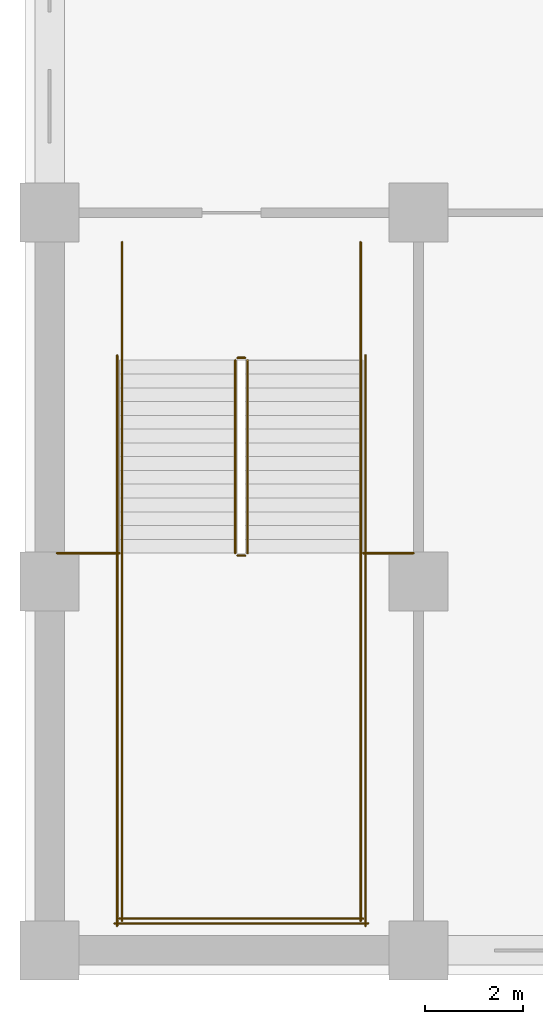
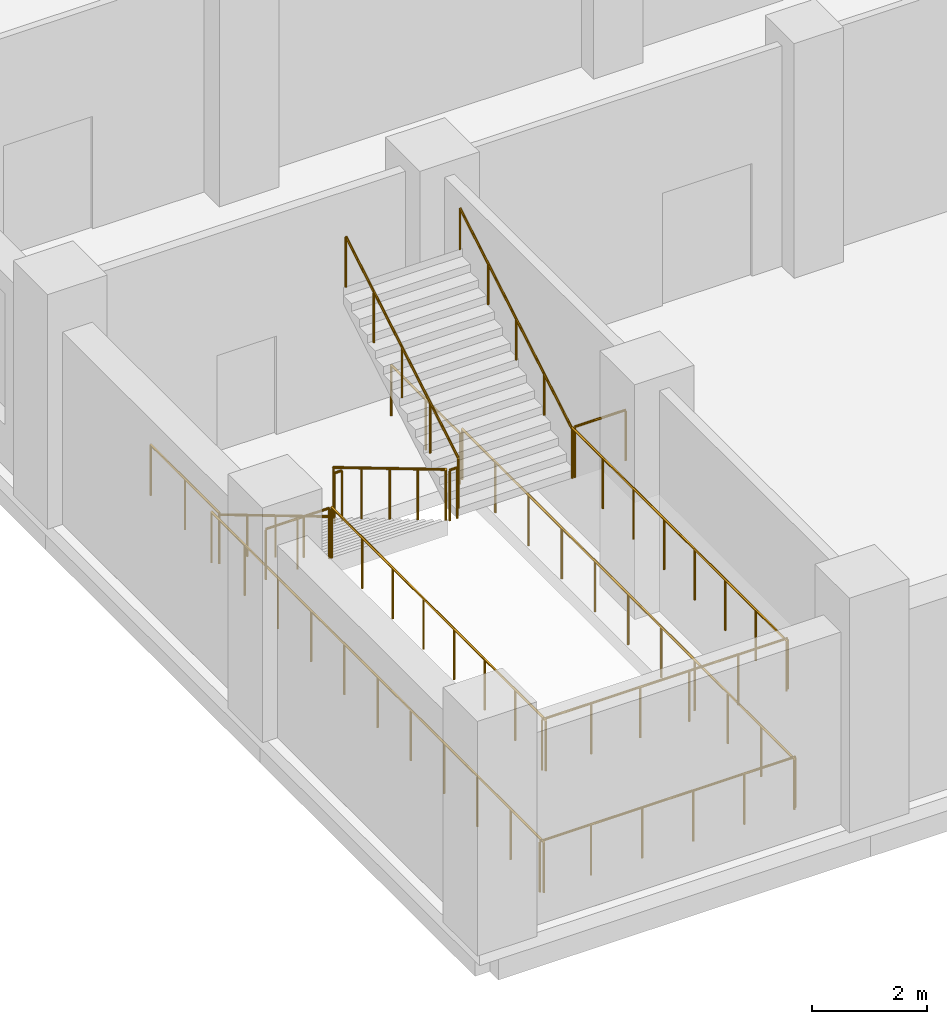
# One storey, part 21 of 32: 16 railings.
"""IFC4 building model written with IfcOpenShell, lengths in metres."""

from ifc_helpers import new_model, si_unit, direction, frame, origin, origin_2d, place, context, subcontext, project, spatial, circle, extrude, material, type_object, element, save


model = new_model("IFC4")

# Units and contexts
model_context = context("Model", 3, precision=1e-05, world=origin(), true_north=direction((0.0, 1.0)))
body_context = subcontext(model_context, "Body", "Model", "MODEL_VIEW")
ifc_project = project(units=[si_unit("LENGTHUNIT", "METRE"), si_unit("AREAUNIT", "SQUARE_METRE"), si_unit("VOLUMEUNIT", "CUBIC_METRE"), si_unit("PLANEANGLEUNIT", "RADIAN"), si_unit("MASSUNIT", "GRAM", prefix="KILO")], contexts=[model_context])

# Site, building, storey
site_placement = place(None, origin())
site = spatial("IfcSite", under=ifc_project, at=site_placement, CompositionType="ELEMENT")
building_placement = place(site_placement, origin())
building = spatial("IfcBuilding", under=site, at=building_placement, Name="Tamorin Gate", CompositionType="ELEMENT")
storey_placement = place(building_placement, frame((0.0, 0.0, 13.5)))
storey = spatial("IfcBuildingStorey", under=building, at=storey_placement, Name="L02", CompositionType="ELEMENT", Elevation=13.5)

# Railings
ifc_material = material(Name="Steel", Category="steel")
railing_type_1 = type_object("IfcRailingType", Name="Podium guard 1100", PredefinedType="GUARDRAIL", material=ifc_material)
railing_1_placement = place(storey_placement, frame((19.27490234375, 42.5, 0.166748046875)))
element("IfcRailing", 1, at=railing_1_placement, inside=storey, type_object=railing_type_1, Name="L02 PS1 stair guard 1", PredefinedType="GUARDRAIL", context=body_context, shape_type="SweptSolid", body=[
    extrude(circle(Radius=0.02392578125, at=origin_2d()), frame((0.0, 0.0, 1.076171875), z_axis=(0.0, -0.859296244711, 0.511478214419), x_axis=(1.0, 0.0, 0.0)), (0.0, 0.0, 1.0), 4.561767578125),
    extrude(circle(Radius=0.02099609375, at=origin_2d()), origin(), (0.0, 0.0, 1.0), 1.052001953125),
    extrude(circle(Radius=0.02099609375, at=origin_2d()), frame((0.0, -0.97998046875, 0.583251953125)), (0.0, 0.0, 1.0), 1.052001953125),
    extrude(circle(Radius=0.02099609375, at=origin_2d()), frame((0.0, -1.9599609375, 1.16650390625)), (0.0, 0.0, 1.0), 1.052001953125),
    extrude(circle(Radius=0.02099609375, at=origin_2d()), frame((0.0, -2.93994140625, 1.75)), (0.0, 0.0, 1.0), 1.052001953125),
    extrude(circle(Radius=0.02099609375, at=origin_2d()), frame((0.0, -3.919921875, 2.333251953125)), (0.0, 0.0, 1.0), 1.052001953125),
])
railing_2_placement = place(storey_placement, frame((19.324951171875, 38.530029296875, 2.5)))
element("IfcRailing", 2, at=railing_2_placement, inside=storey, type_object=railing_type_1, Name="L02 PS1 stair guard 2", PredefinedType="GUARDRAIL", context=body_context, shape_type="SweptSolid", body=[
    extrude(circle(Radius=0.02392578125, at=origin_2d()), frame((0.0, 0.0, 1.076171875), z_axis=(1.0, 0.0, 0.0), x_axis=(0.0, 1.0, 0.0)), (0.0, 0.0, 1.0), 0.150146484375),
    extrude(circle(Radius=0.02099609375, at=origin_2d()), origin(), (0.0, 0.0, 1.0), 1.052001953125),
    extrude(circle(Radius=0.02099609375, at=origin_2d()), frame((0.150146484375, 0.0, 0.0)), (0.0, 0.0, 1.0), 1.052001953125),
])
for number, where, name in (
    (3, (16.97509765625, 38.580078125, 2.5), "L02 PS1 stair guard 3"),
    (4, (21.824951171875, 38.580078125, 2.5), "L02 PS1 stair guard 4"),
):
    element("IfcRailing", number, at=place(storey_placement, frame(where)), inside=storey, type_object=railing_type_1, Name=name, PredefinedType="GUARDRAIL", context=body_context, shape_type="SweptSolid", body=[
        extrude(circle(Radius=0.02392578125, at=origin_2d()), frame((0.0, 0.0, 1.076171875), z_axis=(0.0, -1.0, 0.0), x_axis=(1.0, 0.0, 0.0)), (0.0, 0.0, 1.0), 7.47998046875),
        extrude(circle(Radius=0.02099609375, at=origin_2d()), origin(), (0.0, 0.0, 1.0), 1.052001953125),
        extrude(circle(Radius=0.02099609375, at=origin_2d()), frame((0.0, -1.068603515625, 0.0)), (0.0, 0.0, 1.0), 1.052001953125),
        extrude(circle(Radius=0.02099609375, at=origin_2d()), frame((0.0, -2.13720703125, 0.0)), (0.0, 0.0, 1.0), 1.052001953125),
        extrude(circle(Radius=0.02099609375, at=origin_2d()), frame((0.0, -3.205810546875, 0.0)), (0.0, 0.0, 1.0), 1.052001953125),
        extrude(circle(Radius=0.02099609375, at=origin_2d()), frame((0.0, -4.274169921875, 0.0)), (0.0, 0.0, 1.0), 1.052001953125),
        extrude(circle(Radius=0.02099609375, at=origin_2d()), frame((0.0, -5.3427734375, 0.0)), (0.0, 0.0, 1.0), 1.052001953125),
        extrude(circle(Radius=0.02099609375, at=origin_2d()), frame((0.0, -6.411376953125, 0.0)), (0.0, 0.0, 1.0), 1.052001953125),
        extrude(circle(Radius=0.02099609375, at=origin_2d()), frame((0.0, -7.47998046875, 0.0)), (0.0, 0.0, 1.0), 1.052001953125),
    ])
railing_3_placement = place(storey_placement, frame((16.925048828125, 31.14990234375, 2.5)))
element("IfcRailing", 5, at=railing_3_placement, inside=storey, type_object=railing_type_1, Name="L02 PS1 stair guard 5", PredefinedType="GUARDRAIL", context=body_context, shape_type="SweptSolid", body=[
    extrude(circle(Radius=0.02392578125, at=origin_2d()), frame((0.0, 0.0, 1.076171875), z_axis=(1.0, 0.0, 0.0), x_axis=(0.0, 1.0, 0.0)), (0.0, 0.0, 1.0), 4.949951171875),
    extrude(circle(Radius=0.02099609375, at=origin_2d()), origin(), (0.0, 0.0, 1.0), 1.052001953125),
    extrude(circle(Radius=0.02099609375, at=origin_2d()), frame((0.989990234375, 0.0, 0.0)), (0.0, 0.0, 1.0), 1.052001953125),
    extrude(circle(Radius=0.02099609375, at=origin_2d()), frame((1.97998046875, 0.0, 0.0)), (0.0, 0.0, 1.0), 1.052001953125),
    extrude(circle(Radius=0.02099609375, at=origin_2d()), frame((2.969970703125, 0.0, 0.0)), (0.0, 0.0, 1.0), 1.052001953125),
    extrude(circle(Radius=0.02099609375, at=origin_2d()), frame((3.9599609375, 0.0, 0.0)), (0.0, 0.0, 1.0), 1.052001953125),
    extrude(circle(Radius=0.02099609375, at=origin_2d()), frame((4.949951171875, 0.0, 0.0)), (0.0, 0.0, 1.0), 1.052001953125),
])
railing_4_placement = place(storey_placement, frame((19.52490234375, 38.580078125, 2.666748046875)))
element("IfcRailing", 6, at=railing_4_placement, inside=storey, type_object=railing_type_1, Name="L02 PS1 stair guard 6", PredefinedType="GUARDRAIL", context=body_context, shape_type="SweptSolid", body=[
    extrude(circle(Radius=0.02392578125, at=origin_2d()), frame((0.0, 0.0, 1.076171875), z_axis=(0.0, 0.859296244711, 0.511478214419), x_axis=(-1.0, 0.0, 0.0)), (0.0, 0.0, 1.0), 4.561767578125),
    extrude(circle(Radius=0.02099609375, at=origin_2d()), origin(), (0.0, 0.0, 1.0), 1.052001953125),
    extrude(circle(Radius=0.02099609375, at=origin_2d()), frame((0.0, 0.97998046875, 0.583251953125)), (0.0, 0.0, 1.0), 1.052001953125),
    extrude(circle(Radius=0.02099609375, at=origin_2d()), frame((0.0, 1.9599609375, 1.16650390625)), (0.0, 0.0, 1.0), 1.052001953125),
    extrude(circle(Radius=0.02099609375, at=origin_2d()), frame((0.0, 2.93994140625, 1.75)), (0.0, 0.0, 1.0), 1.052001953125),
    extrude(circle(Radius=0.02099609375, at=origin_2d()), frame((0.0, 3.919921875, 2.333251953125)), (0.0, 0.0, 1.0), 1.052001953125),
])
railing_5_placement = place(storey_placement, frame((19.324951171875, 42.550048828125, 0.0)))
element("IfcRailing", 7, at=railing_5_placement, inside=storey, type_object=railing_type_1, Name="L02 PS1 stair guard 7", PredefinedType="GUARDRAIL", context=body_context, shape_type="SweptSolid", body=[
    extrude(circle(Radius=0.02392578125, at=origin_2d()), frame((0.0, 0.0, 1.076171875), z_axis=(1.0, 0.0, 0.0), x_axis=(0.0, 1.0, 0.0)), (0.0, 0.0, 1.0), 0.150146484375),
    extrude(circle(Radius=0.02099609375, at=origin_2d()), origin(), (0.0, 0.0, 1.0), 1.052001953125),
    extrude(circle(Radius=0.02099609375, at=origin_2d()), frame((0.150146484375, 0.0, 0.0)), (0.0, 0.0, 1.0), 1.052001953125),
])
for number, where, name in (
    (8, (16.97509765625, 44.89990234375, 0.0), "L02 PS1 stair guard 8"),
    (9, (21.824951171875, 44.89990234375, 0.0), "L02 PS1 stair guard 9"),
):
    element("IfcRailing", number, at=place(storey_placement, frame(where)), inside=storey, type_object=railing_type_1, Name=name, PredefinedType="GUARDRAIL", context=body_context, shape_type="SweptSolid", body=[
        extrude(circle(Radius=0.02392578125, at=origin_2d()), frame((0.0, 0.0, 1.076171875), z_axis=(0.0, -1.0, 0.0), x_axis=(1.0, 0.0, 0.0)), (0.0, 0.0, 1.0), 2.39990234375),
        extrude(circle(Radius=0.02099609375, at=origin_2d()), origin(), (0.0, 0.0, 1.0), 1.052001953125),
        extrude(circle(Radius=0.02099609375, at=origin_2d()), frame((0.0, -1.199951171875, 0.0)), (0.0, 0.0, 1.0), 1.052001953125),
        extrude(circle(Radius=0.02099609375, at=origin_2d()), frame((0.0, -2.39990234375, 0.0)), (0.0, 0.0, 1.0), 1.052001953125),
    ])
for number, where, name in (
    (10, (16.875, 42.60009765625, 0.0), "L02 PS1 stair guard 10"),
    (11, (21.925048828125, 42.60009765625, 0.0), "L02 PS1 stair guard 11"),
):
    element("IfcRailing", number, at=place(storey_placement, frame(where)), inside=storey, type_object=railing_type_1, Name=name, PredefinedType="GUARDRAIL", context=body_context, shape_type="SweptSolid", body=[
        extrude(circle(Radius=0.02392578125, at=origin_2d()), frame((0.0, 0.0, 1.076171875), z_axis=(0.0, -1.0, 0.0), x_axis=(1.0, 0.0, 0.0)), (0.0, 0.0, 1.0), 11.60009765625),
        extrude(circle(Radius=0.02099609375, at=origin_2d()), origin(), (0.0, 0.0, 1.0), 1.052001953125),
        extrude(circle(Radius=0.02099609375, at=origin_2d()), frame((0.0, -1.159912109375, 0.0)), (0.0, 0.0, 1.0), 1.052001953125),
        extrude(circle(Radius=0.02099609375, at=origin_2d()), frame((0.0, -2.320068359375, 0.0)), (0.0, 0.0, 1.0), 1.052001953125),
        extrude(circle(Radius=0.02099609375, at=origin_2d()), frame((0.0, -3.47998046875, 0.0)), (0.0, 0.0, 1.0), 1.052001953125),
        extrude(circle(Radius=0.02099609375, at=origin_2d()), frame((0.0, -4.64013671875, 0.0)), (0.0, 0.0, 1.0), 1.052001953125),
        extrude(circle(Radius=0.02099609375, at=origin_2d()), frame((0.0, -5.800048828125, 0.0)), (0.0, 0.0, 1.0), 1.052001953125),
        extrude(circle(Radius=0.02099609375, at=origin_2d()), frame((0.0, -6.9599609375, 0.0)), (0.0, 0.0, 1.0), 1.052001953125),
        extrude(circle(Radius=0.02099609375, at=origin_2d()), frame((0.0, -8.1201171875, 0.0)), (0.0, 0.0, 1.0), 1.052001953125),
        extrude(circle(Radius=0.02099609375, at=origin_2d()), frame((0.0, -9.280029296875, 0.0)), (0.0, 0.0, 1.0), 1.052001953125),
        extrude(circle(Radius=0.02099609375, at=origin_2d()), frame((0.0, -10.440185546875, 0.0)), (0.0, 0.0, 1.0), 1.052001953125),
        extrude(circle(Radius=0.02099609375, at=origin_2d()), frame((0.0, -11.60009765625, 0.0)), (0.0, 0.0, 1.0), 1.052001953125),
    ])
railing_6_placement = place(storey_placement, frame((16.824951171875, 31.050048828125, 0.0)))
element("IfcRailing", 12, at=railing_6_placement, inside=storey, type_object=railing_type_1, Name="L02 PS1 stair guard 12", PredefinedType="GUARDRAIL", context=body_context, shape_type="SweptSolid", body=[
    extrude(circle(Radius=0.02392578125, at=origin_2d()), frame((0.0, 0.0, 1.076171875), z_axis=(1.0, 0.0, 0.0), x_axis=(0.0, 1.0, 0.0)), (0.0, 0.0, 1.0), 5.150146484375),
    extrude(circle(Radius=0.02099609375, at=origin_2d()), origin(), (0.0, 0.0, 1.0), 1.052001953125),
    extrude(circle(Radius=0.02099609375, at=origin_2d()), frame((1.030029296875, 0.0, 0.0)), (0.0, 0.0, 1.0), 1.052001953125),
    extrude(circle(Radius=0.02099609375, at=origin_2d()), frame((2.06005859375, 0.0, 0.0)), (0.0, 0.0, 1.0), 1.052001953125),
    extrude(circle(Radius=0.02099609375, at=origin_2d()), frame((3.090087890625, 0.0, 0.0)), (0.0, 0.0, 1.0), 1.052001953125),
    extrude(circle(Radius=0.02099609375, at=origin_2d()), frame((4.1201171875, 0.0, 0.0)), (0.0, 0.0, 1.0), 1.052001953125),
    extrude(circle(Radius=0.02099609375, at=origin_2d()), frame((5.150146484375, 0.0, 0.0)), (0.0, 0.0, 1.0), 1.052001953125),
])
railing_7_placement = place(storey_placement, frame((15.64990234375, 38.580078125, 2.5)))
element("IfcRailing", 13, at=railing_7_placement, inside=storey, type_object=railing_type_1, Name="Landing edge guard", PredefinedType="GUARDRAIL", context=body_context, shape_type="SweptSolid", body=[
    extrude(circle(Radius=0.02392578125, at=origin_2d()), frame((0.0, 0.0, 1.076171875), z_axis=(1.0, 0.0, 0.0), x_axis=(0.0, 1.0, 0.0)), (0.0, 0.0, 1.0), 1.275146484375),
    extrude(circle(Radius=0.02099609375, at=origin_2d()), origin(), (0.0, 0.0, 1.0), 1.052001953125),
    extrude(circle(Radius=0.02099609375, at=origin_2d()), frame((0.6376953125, 0.0, 0.0)), (0.0, 0.0, 1.0), 1.052001953125),
    extrude(circle(Radius=0.02099609375, at=origin_2d()), frame((1.275146484375, 0.0, 0.0)), (0.0, 0.0, 1.0), 1.052001953125),
])
railing_8_placement = place(storey_placement, frame((21.875, 38.580078125, 2.5)))
element("IfcRailing", 14, at=railing_8_placement, inside=storey, type_object=railing_type_1, Name="Landing edge guard", PredefinedType="GUARDRAIL", context=body_context, shape_type="SweptSolid", body=[
    extrude(circle(Radius=0.02392578125, at=origin_2d()), frame((0.0, 0.0, 1.076171875), z_axis=(1.0, 0.0, 0.0), x_axis=(0.0, 1.0, 0.0)), (0.0, 0.0, 1.0), 1.02490234375),
    extrude(circle(Radius=0.02099609375, at=origin_2d()), origin(), (0.0, 0.0, 1.0), 1.052001953125),
    extrude(circle(Radius=0.02099609375, at=origin_2d()), frame((1.02490234375, 0.0, 0.0)), (0.0, 0.0, 1.0), 1.052001953125),
])
railing_type_2 = type_object("IfcRailingType", Name="Podium stair handrail 900", PredefinedType="HANDRAIL", material=ifc_material)
railing_9_placement = place(storey_placement, frame((16.97509765625, 42.5, 0.166748046875)))
element("IfcRailing", 15, at=railing_9_placement, inside=storey, type_object=railing_type_2, Name="L02 PS1 stair handrail 1", PredefinedType="HANDRAIL", context=body_context, shape_type="SweptSolid", body=[
    extrude(circle(Radius=0.02392578125, at=origin_2d()), frame((0.0, 0.0, 0.8759765625), z_axis=(0.0, -0.859296244711, 0.511478214419), x_axis=(1.0, 0.0, 0.0)), (0.0, 0.0, 1.0), 4.561767578125),
    extrude(circle(Radius=0.02099609375, at=origin_2d()), origin(), (0.0, 0.0, 1.0), 0.851806640625),
    extrude(circle(Radius=0.02099609375, at=origin_2d()), frame((0.0, -0.97998046875, 0.583251953125)), (0.0, 0.0, 1.0), 0.851806640625),
    extrude(circle(Radius=0.02099609375, at=origin_2d()), frame((0.0, -1.9599609375, 1.16650390625)), (0.0, 0.0, 1.0), 0.851806640625),
    extrude(circle(Radius=0.02099609375, at=origin_2d()), frame((0.0, -2.93994140625, 1.75)), (0.0, 0.0, 1.0), 0.851806640625),
    extrude(circle(Radius=0.02099609375, at=origin_2d()), frame((0.0, -3.919921875, 2.333251953125)), (0.0, 0.0, 1.0), 0.851806640625),
])
railing_10_placement = place(storey_placement, frame((21.824951171875, 38.580078125, 2.666748046875)))
element("IfcRailing", 16, at=railing_10_placement, inside=storey, type_object=railing_type_2, Name="L02 PS1 stair handrail 2", PredefinedType="HANDRAIL", context=body_context, shape_type="SweptSolid", body=[
    extrude(circle(Radius=0.02392578125, at=origin_2d()), frame((0.0, 0.0, 0.8759765625), z_axis=(0.0, 0.859296244711, 0.511478214419), x_axis=(-1.0, 0.0, 0.0)), (0.0, 0.0, 1.0), 4.561767578125),
    extrude(circle(Radius=0.02099609375, at=origin_2d()), origin(), (0.0, 0.0, 1.0), 0.851806640625),
    extrude(circle(Radius=0.02099609375, at=origin_2d()), frame((0.0, 0.97998046875, 0.583251953125)), (0.0, 0.0, 1.0), 0.851806640625),
    extrude(circle(Radius=0.02099609375, at=origin_2d()), frame((0.0, 1.9599609375, 1.16650390625)), (0.0, 0.0, 1.0), 0.851806640625),
    extrude(circle(Radius=0.02099609375, at=origin_2d()), frame((0.0, 2.93994140625, 1.75)), (0.0, 0.0, 1.0), 0.851806640625),
    extrude(circle(Radius=0.02099609375, at=origin_2d()), frame((0.0, 3.919921875, 2.333251953125)), (0.0, 0.0, 1.0), 0.851806640625),
])

save(model, "model.ifc")
